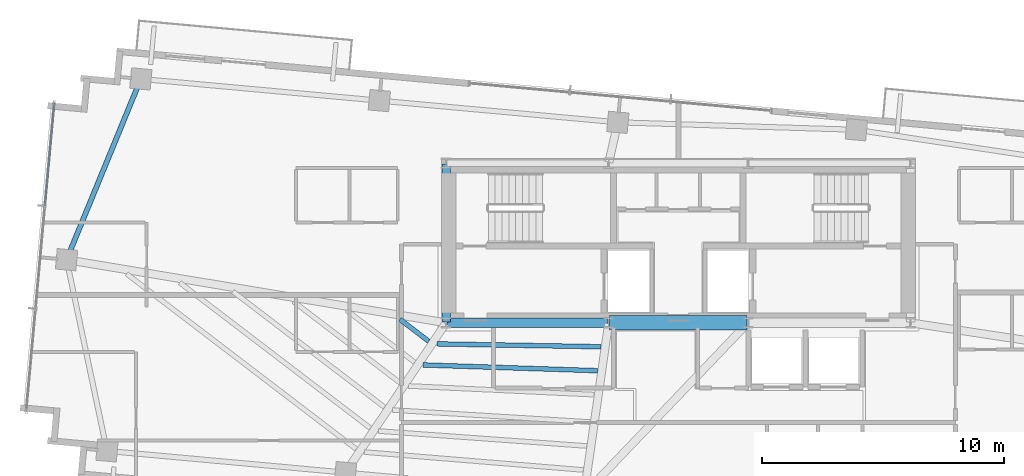
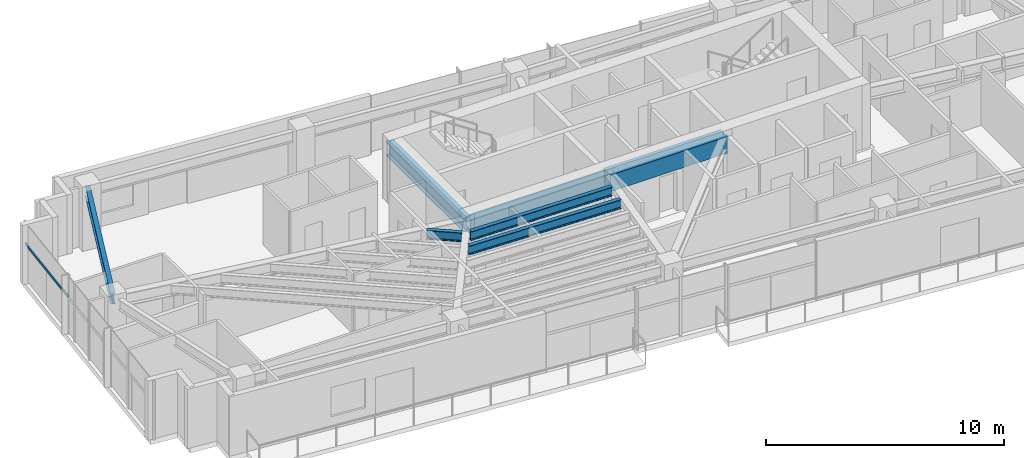
# One storey, part 8 of 22: 7 beams, 1 member, 1 element without a shape of its own.
"""IFC4 building model written with IfcOpenShell, lengths in metres."""

from ifc_helpers import new_model, si_unit, direction, frame, origin, origin_2d, place, context, subcontext, project, spatial, rectangle, hollow_rectangle, i_section, extrude, source, transform, mapped, material, material_profile, profile_set, type_object, type_shapes, element, aggregate, save


model = new_model("IFC4")

# Units and contexts
model_context = context("Model", 3, precision=1e-05, world=origin(), true_north=direction((0.0, 1.0)))
body_context = subcontext(model_context, "Body", "Model", "MODEL_VIEW")
ifc_project = project(units=[si_unit("LENGTHUNIT", "METRE"), si_unit("AREAUNIT", "SQUARE_METRE"), si_unit("VOLUMEUNIT", "CUBIC_METRE"), si_unit("PLANEANGLEUNIT", "RADIAN"), si_unit("MASSUNIT", "GRAM", prefix="KILO")], contexts=[model_context])

# Site, building, storey
site_placement = place(None, origin())
site = spatial("IfcSite", under=ifc_project, at=site_placement, CompositionType="ELEMENT")
building_placement = place(site_placement, origin())
building = spatial("IfcBuilding", under=site, at=building_placement, Name="Astriad Promenade Condominiums", CompositionType="ELEMENT")
storey_placement = place(building_placement, frame((0.0, 0.0, 246.300048828125)))
storey = spatial("IfcBuildingStorey", under=building, at=storey_placement, Name="L71", CompositionType="ELEMENT", Elevation=246.300048828125)

# Beams
ifc_material_1 = material(Name="Steel ASTM A992 Grade 50", Category="steel")
ifc_material_profile_1 = material_profile(ifc_material_1, i_section(OverallWidth=0.3837890625, OverallDepth=0.785888671875, WebThickness=0.019775390625, FlangeThickness=0.033447265625, FilletRadius=0.021484375, at=origin_2d()), Name="W30X211")
ifc_profile_set_1 = profile_set([ifc_material_profile_1], Name="Steel ASTM A992 Grade 50")
beam_type_1 = type_object("IfcBeamType", Name="STEEL FLOOR GIRDER W30X211", PredefinedType="BEAM", material=ifc_profile_set_1)
shared_shape_1 = source(origin(), body_context, "Body", "SweptSolid", [
    extrude(i_section(OverallWidth=0.3837890625, OverallDepth=0.785888671875, WebThickness=0.019775390625, FlangeThickness=0.033447265625, FilletRadius=0.021484375, at=origin_2d()), origin(), (0.0, 0.0, 1.0), 6.64013671875),
])
type_shapes(beam_type_1, [shared_shape_1])
beam_1_placement = place(storey_placement, frame((26.43994140625, 17.39990234375, 2.64697265625), z_axis=(1.0, 0.0, 0.0), x_axis=(0.0, 1.0, 0.0)))
element("IfcBeam", 1, at=beam_1_placement, inside=storey, type_object=beam_type_1, Name="Core Ring Beam CG-S1-L71", PredefinedType="BEAM", context=body_context, shape_type="MappedRepresentation", body=[
    mapped(shared_shape_1, transform((0.0, 0.0, 0.0), scale=1.0)),
])
ifc_material_profile_2 = material_profile(ifc_material_1, i_section(OverallWidth=0.35791015625, OverallDepth=0.706298828125, WebThickness=0.018310546875, FlangeThickness=0.0302734375, FilletRadius=0.020263671875, at=origin_2d()), Name="W27X178")
ifc_profile_set_2 = profile_set([ifc_material_profile_2], Name="Steel ASTM A992 Grade 50")
beam_type_2 = type_object("IfcBeamType", Name="STEEL FLOOR GIRDER W27X178", PredefinedType="BEAM", material=ifc_profile_set_2)
shared_shape_2 = source(origin(), body_context, "Body", "SweptSolid", [
    extrude(i_section(OverallWidth=0.35791015625, OverallDepth=0.706298828125, WebThickness=0.018310546875, FlangeThickness=0.0302734375, FilletRadius=0.020263671875, at=origin_2d()), origin(), (0.0, 0.0, 1.0), 6.52001953125),
])
type_shapes(beam_type_2, [shared_shape_2])
beam_2_placement = place(storey_placement, frame((26.39990234375, 17.43994140625, 2.686767578125), z_axis=(0.0, 1.0, 0.0), x_axis=(-1.0, 0.0, 0.0)))
element("IfcBeam", 2, at=beam_2_placement, inside=storey, type_object=beam_type_2, Name="Core Ring Beam CG-W1-L71", PredefinedType="BEAM", context=body_context, shape_type="MappedRepresentation", body=[
    mapped(shared_shape_2, transform((0.0, 0.0, 0.0), scale=1.0)),
])
ifc_material_2 = material(Name="Concrete C60/75", Category="concrete")
ifc_material_profile_3 = material_profile(ifc_material_2, rectangle(XDim=0.60009765625, YDim=0.85009765625, at=origin_2d()), Name="RC-BM-600X850")
ifc_profile_set_3 = profile_set([ifc_material_profile_3], Name="Concrete C60/75")
beam_type_3 = type_object("IfcBeamType", Name="CONCRETE CORE COUPLING LINTEL 600X850", PredefinedType="LINTEL", material=ifc_profile_set_3)
shared_shape_3 = source(origin(), body_context, "Body", "SweptSolid", [
    extrude(rectangle(XDim=0.60009765625, YDim=0.85009765625, at=origin_2d()), origin(), (0.0, 0.0, 1.0), 5.68017578125),
])
type_shapes(beam_type_3, [shared_shape_3])
beam_3_placement = place(storey_placement, frame((33.159912109375, 17.39990234375, 2.614990234375), z_axis=(1.0, 0.0, 0.0), x_axis=(0.0, 1.0, 0.0)))
element("IfcBeam", 3, at=beam_3_placement, inside=storey, type_object=beam_type_3, Name="Core Ring Beam CG-S2-L71", PredefinedType="LINTEL", context=body_context, shape_type="MappedRepresentation", body=[
    mapped(shared_shape_3, transform((0.0, 0.0, 0.0), scale=1.0)),
])
ifc_material_profile_4 = material_profile(ifc_material_1, i_section(OverallWidth=0.210693359375, OverallDepth=0.53955078125, WebThickness=0.01171875, FlangeThickness=0.018798828125, FilletRadius=0.0166015625, at=origin_2d()), Name="W21X73")
ifc_profile_set_4 = profile_set([ifc_material_profile_4], Name="Steel ASTM A992 Grade 50")
beam_type_4 = type_object("IfcBeamType", Name="STEEL SPANDREL BEAM W21X73", PredefinedType="SPANDREL", material=ifc_profile_set_4)
shared_shape_4 = source(origin(), body_context, "Body", "SweptSolid", [
    extrude(i_section(OverallWidth=0.210693359375, OverallDepth=0.53955078125, WebThickness=0.01171875, FlangeThickness=0.018798828125, FilletRadius=0.0166015625, at=origin_2d()), origin(), (0.0, 0.0, 1.0), 7.998779296875),
])
type_shapes(beam_type_4, [shared_shape_4])
beam_4_placement = place(storey_placement, frame((13.76611328125, 27.44580078125, 2.770263671875), z_axis=(-0.38000513148, -0.924984378273, 0.0), x_axis=(0.924984378273, -0.38000513148, 0.0)))
element("IfcBeam", 4, at=beam_4_placement, inside=storey, type_object=beam_type_4, Name="Perimeter Spandrel Beam SP-W2-L71", PredefinedType="SPANDREL", context=body_context, shape_type="MappedRepresentation", body=[
    mapped(shared_shape_4, transform((0.0, 0.0, 0.0), scale=1.0)),
])
ifc_material_profile_5 = material_profile(ifc_material_1, i_section(OverallWidth=0.19287109375, OverallDepth=0.466064453125, WebThickness=0.011474609375, FlangeThickness=0.01904296875, FilletRadius=0.01513671875, at=origin_2d()), Name="W18X65")
ifc_profile_set_5 = profile_set([ifc_material_profile_5], Name="Steel ASTM A992 Grade 50")
beam_type_5 = type_object("IfcBeamType", Name="STEEL FLOOR JOIST W18X65", PredefinedType="JOIST", material=ifc_profile_set_5)
shared_shape_5 = source(origin(), body_context, "Body", "SweptSolid", [
    extrude(i_section(OverallWidth=0.19287109375, OverallDepth=0.466064453125, WebThickness=0.011474609375, FlangeThickness=0.01904296875, FilletRadius=0.01513671875, at=origin_2d()), origin(), (0.0, 0.0, 1.0), 1.497314453125),
])
beam_5_placement = place(storey_placement, frame((24.489501953125, 17.547119140625, 2.806884765625), z_axis=(0.79482500583, -0.606838701887, 0.0), x_axis=(0.606838701887, 0.79482500583, 0.0)))
element("IfcBeam", 5, at=beam_5_placement, inside=storey, type_object=beam_type_5, Name="Secondary Composite Floor Joist JW1-6-L71", PredefinedType="JOIST", context=body_context, shape_type="MappedRepresentation", body=[
    mapped(shared_shape_5, transform((0.0, 0.0, 0.0), scale=1.0)),
])
shared_shape_6 = source(origin(), body_context, "Body", "SweptSolid", [
    extrude(i_section(OverallWidth=0.19287109375, OverallDepth=0.466064453125, WebThickness=0.011474609375, FlangeThickness=0.01904296875, FilletRadius=0.01513671875, at=origin_2d()), origin(), (0.0, 0.0, 1.0), 7.226318359375),
])
beam_6_placement = place(storey_placement, frame((25.43798828125, 15.659912109375, 2.806884765625), z_axis=(0.999453981353, -0.033041476313, 0.0), x_axis=(0.033041476313, 0.999453981353, 0.0)))
element("IfcBeam", 6, at=beam_6_placement, inside=storey, type_object=beam_type_5, Name="Secondary Composite Floor Joist JCW-5-L71", PredefinedType="JOIST", context=body_context, shape_type="MappedRepresentation", body=[
    mapped(shared_shape_6, transform((0.0, 0.0, 0.0), scale=1.0)),
])
shared_shape_7 = source(origin(), body_context, "Body", "SweptSolid", [
    extrude(i_section(OverallWidth=0.19287109375, OverallDepth=0.466064453125, WebThickness=0.011474609375, FlangeThickness=0.01904296875, FilletRadius=0.01513671875, at=origin_2d()), origin(), (0.0, 0.0, 1.0), 6.781494140625),
])
type_shapes(beam_type_5, [shared_shape_5, shared_shape_6, shared_shape_7])
beam_7_placement = place(storey_placement, frame((26.022216796875, 16.52978515625, 2.806884765625), z_axis=(0.999845665325, -0.017568310398, 0.0), x_axis=(0.017568310398, 0.999845665325, 0.0)))
element("IfcBeam", 7, at=beam_7_placement, inside=storey, type_object=beam_type_5, Name="Secondary Composite Floor Joist JCW-6-L71", PredefinedType="JOIST", context=body_context, shape_type="MappedRepresentation", body=[
    mapped(shared_shape_7, transform((0.0, 0.0, 0.0), scale=1.0)),
])

# Curtain wall, member
ifc_material_3 = material(Name="Anodised aluminium Black Dark Glass Unitised", Category="aluminium")
curtain_wall_type = type_object("IfcCurtainWallType", Name="CW-B5-DARK", PredefinedType="USERDEFINED", material=ifc_material_3)
curtain_wall_placement = place(storey_placement, origin())
curtain_wall = element("IfcCurtainWall", 8, at=curtain_wall_placement, inside=storey, type_object=curtain_wall_type, Name="CW-L71-W", ObjectType="UNITISED_CURTAIN_WALL", PredefinedType="USERDEFINED")
ifc_material_4 = material(Name="Anodised aluminium 6063-T6 Black", Category="aluminium")
ifc_material_profile_6 = material_profile(ifc_material_4, hollow_rectangle(XDim=0.06494140625, YDim=0.1298828125, WallThickness=0.00390625, at=origin_2d()), Name="ALU-TRN-65X130")
ifc_profile_set_6 = profile_set([ifc_material_profile_6], Name="Anodised aluminium 6063-T6 Black")
member_type = type_object("IfcMemberType", Name="TRN-ALU-TRN-65X130", PredefinedType="USERDEFINED", material=ifc_profile_set_6)
shared_shape_8 = source(origin(), body_context, "Body", "SweptSolid", [
    extrude(hollow_rectangle(XDim=0.06494140625, YDim=0.1298828125, WallThickness=0.00390625, at=origin_2d()), origin(), (0.0, 0.0, 1.0), 4.2666015625),
])
type_shapes(member_type, [shared_shape_8])
member_placement = place(storey_placement, frame((9.819091796875, 22.233642578125, 1.884765625), z_axis=(0.090638931954, 0.99588382054, 0.0), x_axis=(-0.99588382054, 0.090638931954, 0.0)))
member = element("IfcMember", 9, at=member_placement, type_object=member_type, Name="CW-L71-W-TRN-02-0", ObjectType="TRANSOM", PredefinedType="USERDEFINED", context=body_context, shape_type="MappedRepresentation", body=[
    mapped(shared_shape_8, transform((0.0, 0.0, 0.0), scale=1.0)),
])
aggregate(curtain_wall, [member])

save(model, "model.ifc")
